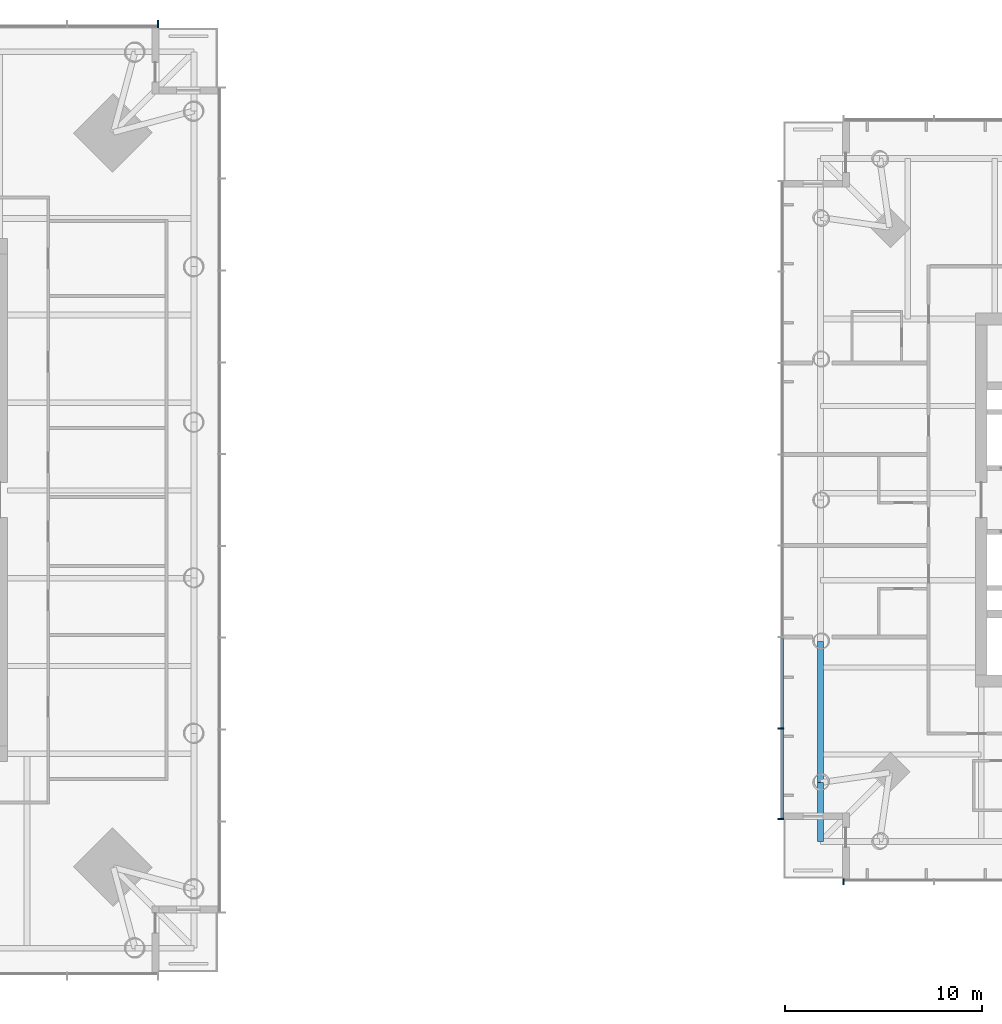
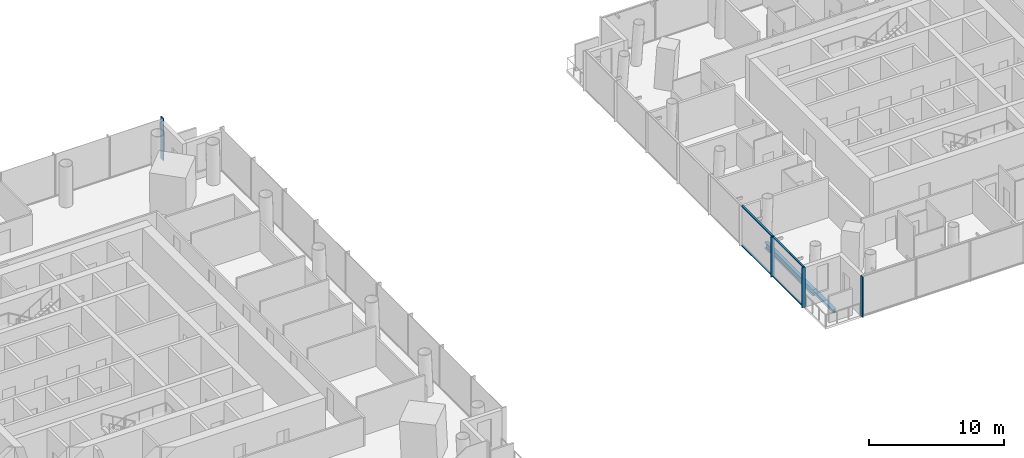
# One storey, part 4 of 21: 8 members, 2 beams, 3 elements without a shape of their own.
"""IFC4 building model written with IfcOpenShell, lengths in metres."""

from ifc_helpers import new_model, si_unit, direction, frame, origin, origin_2d, place, context, subcontext, project, spatial, rectangle, i_section, extrude, material, material_profile, profile_set, type_object, element, aggregate, save


model = new_model("IFC4")

# Units and contexts
model_context = context("Model", 3, precision=1e-05, world=origin(), true_north=direction((0.0, 1.0)))
body_context = subcontext(model_context, "Body", "Model", "MODEL_VIEW")
ifc_project = project(units=[si_unit("LENGTHUNIT", "METRE"), si_unit("AREAUNIT", "SQUARE_METRE"), si_unit("VOLUMEUNIT", "CUBIC_METRE"), si_unit("PLANEANGLEUNIT", "RADIAN"), si_unit("MASSUNIT", "GRAM", prefix="KILO")], contexts=[model_context])

# Site, building, storey
site_placement = place(None, origin())
site = spatial("IfcSite", under=ifc_project, at=site_placement, CompositionType="ELEMENT")
building_placement = place(site_placement, origin())
building = spatial("IfcBuilding", under=site, at=building_placement, Name="Ostroluk Exchange", CompositionType="ELEMENT")
storey_placement = place(building_placement, frame((0.0, 0.0, 59.0)))
storey = spatial("IfcBuildingStorey", under=building, at=storey_placement, Name="L14", CompositionType="ELEMENT", Elevation=59.0)

# Beams
ifc_material_1 = material(Name="Steel S355", Category="steel")
ifc_material_profile_1 = material_profile(ifc_material_1, i_section(OverallWidth=0.300048828125, OverallDepth=0.300048828125, WebThickness=0.010986328125, FlangeThickness=0.01904296875, FilletRadius=0.027099609375, at=origin_2d()), Name="HEB 300")
ifc_profile_set_1 = profile_set([ifc_material_profile_1], Name="Steel S355")
beam_type_1 = type_object("IfcBeamType", Name="Balcony beam HEB 300", PredefinedType="BEAM", material=ifc_profile_set_1)
beam_1_placement = place(storey_placement, frame((99.637939453125, 31.637939453125, -0.35009765625), z_axis=(0.0, -1.0, 0.0), x_axis=(1.0, 0.0, 0.0)))
element("IfcBeam", 1, at=beam_1_placement, inside=storey, type_object=beam_type_1, Name="T2 west balcony beam a", PredefinedType="BEAM", context=body_context, shape_type="SweptSolid", body=[
    extrude(i_section(OverallWidth=0.300048828125, OverallDepth=0.300048828125, WebThickness=0.010986328125, FlangeThickness=0.01904296875, FilletRadius=0.027099609375, at=origin_2d()), origin(), (0.0, 0.0, 1.0), 3.0),
])
ifc_material_2 = material(Name="Steel S355", Category="steel")
ifc_material_profile_2 = material_profile(ifc_material_2, i_section(OverallWidth=0.300048828125, OverallDepth=0.550048828125, WebThickness=0.014892578125, FlangeThickness=0.029052734375, FilletRadius=0.027099609375, at=origin_2d()), Name="HEB 550")
ifc_profile_set_2 = profile_set([ifc_material_profile_2], Name="Steel S355")
beam_type_2 = type_object("IfcBeamType", Name="Moment-connected edge beam HEB 550", PredefinedType="SPANDREL", material=ifc_profile_set_2)
beam_2_placement = place(storey_placement, frame((99.637939453125, 38.81884765625, -0.47509765625), z_axis=(0.0, -1.0, 0.0), x_axis=(1.0, 0.0, 0.0)))
element("IfcBeam", 2, at=beam_2_placement, inside=storey, type_object=beam_type_2, Name="T2 west edge beam 4", PredefinedType="SPANDREL", context=body_context, shape_type="SweptSolid", body=[
    extrude(i_section(OverallWidth=0.300048828125, OverallDepth=0.550048828125, WebThickness=0.014892578125, FlangeThickness=0.029052734375, FilletRadius=0.027099609375, at=origin_2d()), origin(), (0.0, 0.0, 1.0), 7.180908203125),
])

# Curtain wall, members
ifc_material_3 = material(Name="Laminated clear glass", Category="glass")
curtain_wall_type_1 = type_object("IfcCurtainWallType", Name="Hotel guest floor facade", PredefinedType="USERDEFINED", material=ifc_material_3)
curtain_wall_1_placement = place(storey_placement, origin())
curtain_wall_1 = element("IfcCurtainWall", 3, at=curtain_wall_1_placement, inside=storey, type_object=curtain_wall_type_1, Name="Hotel tower west facade L14", ObjectType="UNITISED CURTAIN WALL", PredefinedType="USERDEFINED")
ifc_material_4 = material(Name="Aluminium mullion", Category="aluminium")
ifc_material_profile_3 = material_profile(ifc_material_4, rectangle(XDim=0.14990234375, YDim=0.080078125, at=origin_2d()), Name="Sill transom 80 x 150")
ifc_profile_set_3 = profile_set([ifc_material_profile_3], Name="Aluminium mullion")
member_type_1 = type_object("IfcMemberType", Name="Sill transom 80 x 150", PredefinedType="USERDEFINED", material=ifc_profile_set_3)
member_1_placement = place(storey_placement, frame((97.675048828125, 38.99560546875, 0.0400390625), z_axis=(0.0, -1.0, 0.0), x_axis=(1.0, 0.0, 0.0)))
member_1 = element("IfcMember", 4, at=member_1_placement, type_object=member_type_1, Name="CW-H1 transom 6.1", ObjectType="TRANSOM", PredefinedType="USERDEFINED", context=body_context, shape_type="SweptSolid", body=[
    extrude(rectangle(XDim=0.14990234375, YDim=0.080078125, at=origin_2d()), origin(), (0.0, 0.0, 1.0), 4.562744140625),
])
member_2_placement = place(storey_placement, frame((97.675048828125, 38.99560546875, 3.610107421875), z_axis=(0.0, -1.0, 0.0), x_axis=(1.0, 0.0, 0.0)))
member_2 = element("IfcMember", 5, at=member_2_placement, type_object=member_type_1, Name="CW-H1 transom 6.2", ObjectType="TRANSOM", PredefinedType="USERDEFINED", context=body_context, shape_type="SweptSolid", body=[
    extrude(rectangle(XDim=0.14990234375, YDim=0.080078125, at=origin_2d()), origin(), (0.0, 0.0, 1.0), 4.562744140625),
])
member_3_placement = place(storey_placement, frame((97.675048828125, 34.352783203125, 0.0400390625), z_axis=(0.0, -1.0, 0.0), x_axis=(1.0, 0.0, 0.0)))
member_3 = element("IfcMember", 6, at=member_3_placement, type_object=member_type_1, Name="CW-H1 transom 7.1", ObjectType="TRANSOM", PredefinedType="USERDEFINED", context=body_context, shape_type="SweptSolid", body=[
    extrude(rectangle(XDim=0.14990234375, YDim=0.080078125, at=origin_2d()), origin(), (0.0, 0.0, 1.0), 4.522705078125),
])
member_4_placement = place(storey_placement, frame((97.675048828125, 34.352783203125, 3.610107421875), z_axis=(0.0, -1.0, 0.0), x_axis=(1.0, 0.0, 0.0)))
member_4 = element("IfcMember", 7, at=member_4_placement, type_object=member_type_1, Name="CW-H1 transom 7.2", ObjectType="TRANSOM", PredefinedType="USERDEFINED", context=body_context, shape_type="SweptSolid", body=[
    extrude(rectangle(XDim=0.14990234375, YDim=0.080078125, at=origin_2d()), origin(), (0.0, 0.0, 1.0), 4.522705078125),
])

# Curtain wall, member
curtain_wall_2_placement = place(storey_placement, origin())
curtain_wall_2 = element("IfcCurtainWall", 8, at=curtain_wall_2_placement, inside=storey, type_object=curtain_wall_type_1, Name="Hotel tower south facade L14", ObjectType="UNITISED CURTAIN WALL", PredefinedType="USERDEFINED")
ifc_material_5 = material(Name="Aluminium mullion with limestone facing", Category="masonry")
ifc_material_profile_4 = material_profile(ifc_material_5, rectangle(XDim=0.300048828125, YDim=0.080078125, at=origin_2d()), Name="Tracery mullion 80 x 300")
ifc_profile_set_4 = profile_set([ifc_material_profile_4], Name="Aluminium mullion with limestone facing")
member_type_2 = type_object("IfcMemberType", Name="Tracery mullion 80 x 300", PredefinedType="MULLION", material=ifc_profile_set_4)
member_5_placement = place(storey_placement, frame((100.7900390625, 26.60009765625, 0.0), z_axis=(0.0, 0.0, 1.0), x_axis=(0.0, 1.0, 0.0)))
member_5 = element("IfcMember", 9, at=member_5_placement, type_object=member_type_2, Name="CW-H1 mullion 1", PredefinedType="MULLION", context=body_context, shape_type="SweptSolid", body=[
    extrude(rectangle(XDim=0.300048828125, YDim=0.080078125, at=origin_2d()), origin(), (0.0, 0.0, 1.0), 3.64990234375),
])
aggregate(curtain_wall_2, [member_5])

# Member
member_6_placement = place(storey_placement, frame((97.60009765625, 34.392822265625, 0.0), z_axis=(0.0, 0.0, 1.0), x_axis=(1.0, 0.0, 0.0)))
member_6 = element("IfcMember", 10, at=member_6_placement, type_object=member_type_2, Name="CW-H1 mullion 7", PredefinedType="MULLION", context=body_context, shape_type="SweptSolid", body=[
    extrude(rectangle(XDim=0.300048828125, YDim=0.080078125, at=origin_2d()), origin(), (0.0, 0.0, 1.0), 3.64990234375),
])

member_7_placement = place(storey_placement, frame((97.60009765625, 29.7900390625, 0.0), z_axis=(0.0, 0.0, 1.0), x_axis=(1.0, 0.0, 0.0)))
member_7 = element("IfcMember", 11, at=member_7_placement, type_object=member_type_2, Name="CW-H1 mullion 8", PredefinedType="MULLION", context=body_context, shape_type="SweptSolid", body=[
    extrude(rectangle(XDim=0.300048828125, YDim=0.080078125, at=origin_2d()), origin(), (0.0, 0.0, 1.0), 3.64990234375),
])

aggregate(curtain_wall_1, [member_6, member_7, member_1, member_2, member_3, member_4])

# Curtain wall, member
ifc_material_6 = material(Name="Laminated clear glass", Category="glass")
curtain_wall_type_2 = type_object("IfcCurtainWallType", Name="Office tower facade", PredefinedType="USERDEFINED", material=ifc_material_6)
curtain_wall_3_placement = place(storey_placement, origin())
curtain_wall_3 = element("IfcCurtainWall", 12, at=curtain_wall_3_placement, inside=storey, type_object=curtain_wall_type_2, Name="Office tower north facade L14", ObjectType="UNITISED CURTAIN WALL", PredefinedType="USERDEFINED")
ifc_material_7 = material(Name="Aluminium mullion with limestone facing", Category="masonry")
ifc_material_profile_5 = material_profile(ifc_material_7, rectangle(XDim=0.39990234375, YDim=0.080078125, at=origin_2d()), Name="Tracery mullion 80 x 400")
ifc_profile_set_5 = profile_set([ifc_material_profile_5], Name="Aluminium mullion with limestone facing")
member_type_3 = type_object("IfcMemberType", Name="Tracery mullion 80 x 400", PredefinedType="MULLION", material=ifc_profile_set_5)
member_8_placement = place(storey_placement, frame((65.9599609375, 70.199951171875, 0.0), z_axis=(0.0, 0.0, 1.0), x_axis=(0.0, -1.0, 0.0)))
member_8 = element("IfcMember", 13, at=member_8_placement, type_object=member_type_3, Name="CW-O1 mullion 1", PredefinedType="MULLION", context=body_context, shape_type="SweptSolid", body=[
    extrude(rectangle(XDim=0.39990234375, YDim=0.080078125, at=origin_2d()), origin(), (0.0, 0.0, 1.0), 3.800048828125),
])
aggregate(curtain_wall_3, [member_8])

save(model, "model.ifc")
